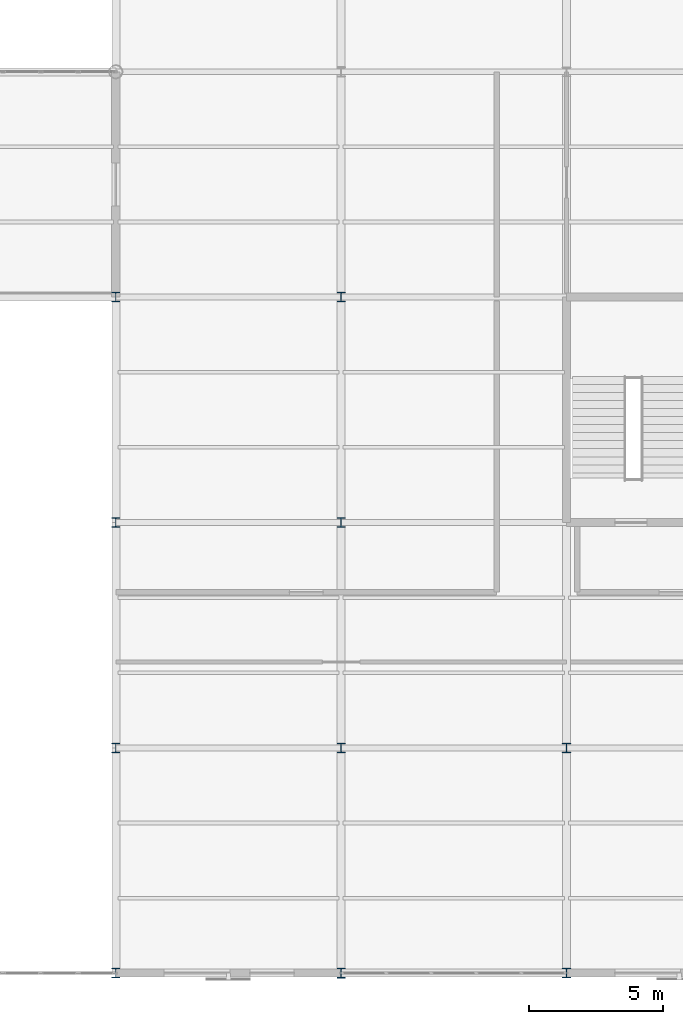
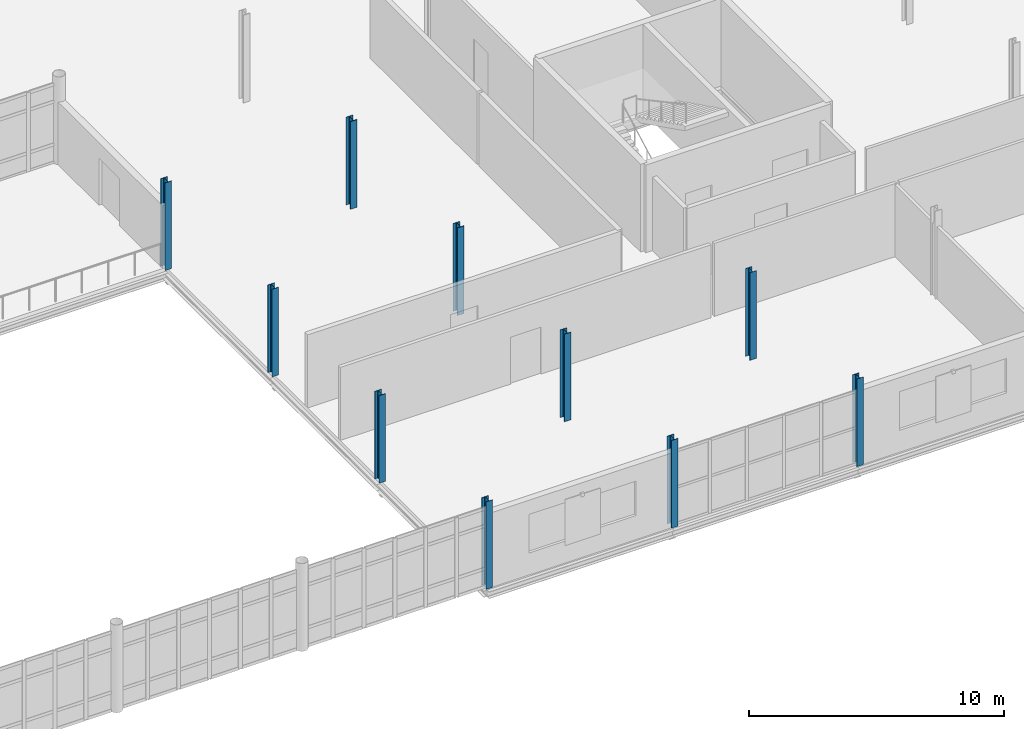
# One storey, part 6 of 163: 10 columns.
"""IFC4 building model written with IfcOpenShell, lengths in metres."""

from ifc_helpers import new_model, si_unit, direction, frame, origin, origin_2d, place, context, subcontext, project, spatial, i_section, extrude, material, material_profile, profile_set, type_object, element, save


model = new_model("IFC4")

# Units and contexts
model_context = context("Model", 3, precision=1e-05, world=origin(), true_north=direction((0.0, 1.0)))
body_context = subcontext(model_context, "Body", "Model", "MODEL_VIEW")
ifc_project = project(units=[si_unit("LENGTHUNIT", "METRE"), si_unit("AREAUNIT", "SQUARE_METRE"), si_unit("VOLUMEUNIT", "CUBIC_METRE"), si_unit("PLANEANGLEUNIT", "RADIAN"), si_unit("MASSUNIT", "GRAM", prefix="KILO")], contexts=[model_context])

# Site, building, storey
site_placement = place(None, origin())
site = spatial("IfcSite", under=ifc_project, at=site_placement, CompositionType="ELEMENT")
building_placement = place(site_placement, origin())
building = spatial("IfcBuilding", under=site, at=building_placement, Name="Qalvenar Corner Mobility Hub", CompositionType="ELEMENT")
storey_placement = place(building_placement, frame((0.0, 0.0, 4.800048828125)))
storey = spatial("IfcBuildingStorey", under=building, at=storey_placement, Name="L01", CompositionType="ELEMENT", Elevation=4.800048828125)

# Columns
ifc_material = material(Name="Steel S355", Category="steel")
ifc_material_profile_1 = material_profile(ifc_material, i_section(OverallWidth=0.300048828125, OverallDepth=0.35009765625, WebThickness=0.010009765625, FlangeThickness=0.017578125, FilletRadius=0.027099609375, at=origin_2d()), Name="HEA360")
ifc_profile_set_1 = profile_set([ifc_material_profile_1], Name="Steel S355")
column_type_1 = type_object("IfcColumnType", Name="COL-HEA360", PredefinedType="COLUMN", material=ifc_profile_set_1)
for number, where, z_axis, x_axis, name in (
    (1, (109.199951171875, 0.0, 0.0), (0.0, 0.0, 1.0), (1.0, 0.0, 0.0), "Steel Column L01-G14-0"),
    (2, (109.199951171875, 8.39990234375, 0.0), (0.0, 0.0, 1.0), (1.0, 0.0, 0.0), "Steel Column L01-G14-1"),
    (3, (109.199951171875, 16.800048828125, 0.0), (0.0, 0.0, 1.0), (1.0, 0.0, 0.0), "Steel Column L01-G14-2"),
    (4, (109.199951171875, 25.199951171875, 0.0), (0.0, 0.0, 1.0), (1.0, 0.0, 0.0), "Steel Column L01-G14-3"),
    (5, (126.0, 0.0, 0.0), (0.0, 0.0, 1.0), (1.0, 0.0, 0.0), "Steel Column L01-G16-0"),
    (6, (126.0, 8.39990234375, 0.0), (0.0, 0.0, 1.0), (1.0, 0.0, 0.0), "Steel Column L01-G16-1"),
):
    element("IfcColumn", number, at=place(storey_placement, frame(where, z_axis=z_axis, x_axis=x_axis)), inside=storey, type_object=column_type_1, Name=name, PredefinedType="COLUMN", context=body_context, shape_type="SweptSolid", body=[
        extrude(i_section(OverallWidth=0.300048828125, OverallDepth=0.35009765625, WebThickness=0.010009765625, FlangeThickness=0.017578125, FilletRadius=0.027099609375, at=origin_2d()), origin(), (0.0, 0.0, 1.0), 4.199951171875),
    ])
ifc_material_profile_2 = material_profile(ifc_material, i_section(OverallWidth=0.300048828125, OverallDepth=0.360107421875, WebThickness=0.012451171875, FlangeThickness=0.0224609375, FilletRadius=0.027099609375, at=origin_2d()), Name="HEB360")
ifc_profile_set_2 = profile_set([ifc_material_profile_2], Name="Steel S355")
column_type_2 = type_object("IfcColumnType", Name="COL-HEB360", PredefinedType="COLUMN", material=ifc_profile_set_2)
for number, where, z_axis, x_axis, name in (
    (7, (117.60009765625, 0.0, 0.0), (0.0, 0.0, 1.0), (1.0, 0.0, 0.0), "Steel Column L01-G15-0"),
    (8, (117.60009765625, 8.39990234375, 0.0), (0.0, 0.0, 1.0), (1.0, 0.0, 0.0), "Steel Column L01-G15-1"),
    (9, (117.60009765625, 16.800048828125, 0.0), (0.0, 0.0, 1.0), (1.0, 0.0, 0.0), "Steel Column L01-G15-2"),
    (10, (117.60009765625, 25.199951171875, 0.0), (0.0, 0.0, 1.0), (1.0, 0.0, 0.0), "Steel Column L01-G15-3"),
):
    element("IfcColumn", number, at=place(storey_placement, frame(where, z_axis=z_axis, x_axis=x_axis)), inside=storey, type_object=column_type_2, Name=name, PredefinedType="COLUMN", context=body_context, shape_type="SweptSolid", body=[
        extrude(i_section(OverallWidth=0.300048828125, OverallDepth=0.360107421875, WebThickness=0.012451171875, FlangeThickness=0.0224609375, FilletRadius=0.027099609375, at=origin_2d()), origin(), (0.0, 0.0, 1.0), 4.199951171875),
    ])

save(model, "model.ifc")
